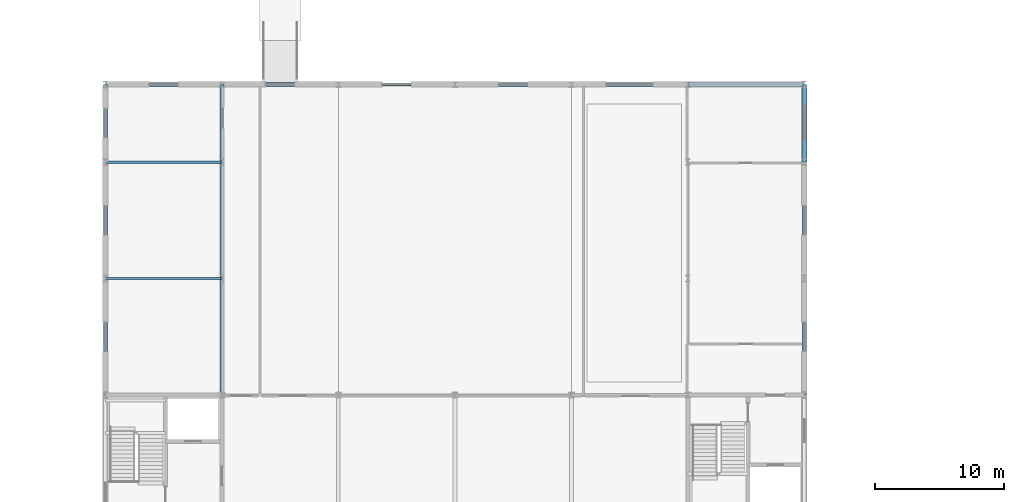
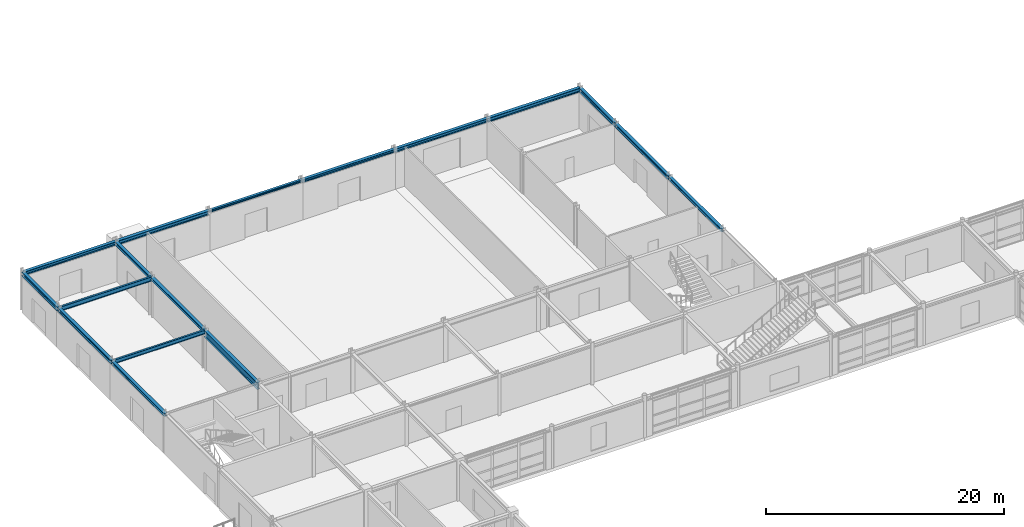
# One storey, part 32 of 72: 17 beams.
"""IFC4 building model written with IfcOpenShell, lengths in metres."""

from ifc_helpers import new_model, si_unit, direction, frame, origin, origin_2d, place, context, subcontext, project, spatial, i_section, extrude, material, material_profile, profile_set, type_object, element, save


model = new_model("IFC4")

# Units and contexts
model_context = context("Model", 3, precision=1e-05, world=origin(), true_north=direction((0.0, 1.0)))
body_context = subcontext(model_context, "Body", "Model", "MODEL_VIEW")
ifc_project = project(units=[si_unit("LENGTHUNIT", "METRE"), si_unit("AREAUNIT", "SQUARE_METRE"), si_unit("VOLUMEUNIT", "CUBIC_METRE"), si_unit("PLANEANGLEUNIT", "RADIAN"), si_unit("MASSUNIT", "GRAM", prefix="KILO")], contexts=[model_context])

# Site, building, storey
site_placement = place(None, origin())
site = spatial("IfcSite", under=ifc_project, at=site_placement, CompositionType="ELEMENT")
building_placement = place(site_placement, origin())
building = spatial("IfcBuilding", under=site, at=building_placement, Name="Palais des Congres Ocreval", CompositionType="ELEMENT")
storey_placement = place(building_placement, origin())
storey = spatial("IfcBuildingStorey", under=building, at=storey_placement, Name="L00", CompositionType="ELEMENT", Elevation=0.0)

# Beams
ifc_material = material(Name="Steel S355", Category="steel")
ifc_material_profile_1 = material_profile(ifc_material, i_section(OverallWidth=0.179931640625, OverallDepth=0.39990234375, WebThickness=0.008544921875, FlangeThickness=0.013427734375, at=origin_2d()), Name="IPE 400")
ifc_profile_set_1 = profile_set([ifc_material_profile_1], Name="Steel S355")
beam_type_1 = type_object("IfcBeamType", Name="Composite Beam IPE 400 Steel S355", PredefinedType="BEAM", material=ifc_profile_set_1)
beam_1_placement = place(storey_placement, frame((0.02001953125, 99.0, 3.85498046875), z_axis=(1.0, 0.0, 0.0), x_axis=(0.0, 1.0, 0.0)))
element("IfcBeam", 1, at=beam_1_placement, inside=storey, type_object=beam_type_1, Name="Beam B02 L00", PredefinedType="BEAM", context=body_context, shape_type="SweptSolid", body=[
    extrude(i_section(OverallWidth=0.179931640625, OverallDepth=0.39990234375, WebThickness=0.008544921875, FlangeThickness=0.013427734375, at=origin_2d()), origin(), (0.0, 0.0, 1.0), 8.9599609375),
])
ifc_material_profile_2 = material_profile(ifc_material, i_section(OverallWidth=0.18994140625, OverallDepth=0.449951171875, WebThickness=0.009521484375, FlangeThickness=0.0146484375, at=origin_2d()), Name="IPE 450")
ifc_profile_set_2 = profile_set([ifc_material_profile_2], Name="Steel S355")
beam_type_2 = type_object("IfcBeamType", Name="Composite Beam IPE 450 Steel S355", PredefinedType="BEAM", material=ifc_profile_set_2)
beam_2_placement = place(storey_placement, frame((0.02001953125, 108.0, 3.830078125), z_axis=(1.0, 0.0, 0.0), x_axis=(0.0, 1.0, 0.0)))
element("IfcBeam", 2, at=beam_2_placement, inside=storey, type_object=beam_type_2, Name="Beam B03 L00", PredefinedType="BEAM", context=body_context, shape_type="SweptSolid", body=[
    extrude(i_section(OverallWidth=0.18994140625, OverallDepth=0.449951171875, WebThickness=0.009521484375, FlangeThickness=0.0146484375, at=origin_2d()), origin(), (0.0, 0.0, 1.0), 8.9599609375),
])
ifc_material_profile_3 = material_profile(ifc_material, i_section(OverallWidth=0.239990234375, OverallDepth=0.22998046875, WebThickness=0.007568359375, FlangeThickness=0.011962890625, at=origin_2d()), Name="HEA 240")
ifc_profile_set_3 = profile_set([ifc_material_profile_3], Name="Steel S355")
beam_type_3 = type_object("IfcBeamType", Name="Perimeter Spandrel HEA 240 Steel S355", PredefinedType="SPANDREL", material=ifc_profile_set_3)
beam_3_placement = place(storey_placement, frame((18.02001953125, 114.0, 3.93994140625), z_axis=(1.0, 0.0, 0.0), x_axis=(0.0, 1.0, 0.0)))
element("IfcBeam", 3, at=beam_3_placement, inside=storey, type_object=beam_type_3, Name="Beam SP01 L00", PredefinedType="SPANDREL", context=body_context, shape_type="SweptSolid", body=[
    extrude(i_section(OverallWidth=0.239990234375, OverallDepth=0.22998046875, WebThickness=0.007568359375, FlangeThickness=0.011962890625, at=origin_2d()), origin(), (0.0, 0.0, 1.0), 8.9599609375),
])
ifc_material_profile_4 = material_profile(ifc_material, i_section(OverallWidth=0.300048828125, OverallDepth=0.300048828125, WebThickness=0.010986328125, FlangeThickness=0.01904296875, at=origin_2d()), Name="HEB 300")
ifc_profile_set_4 = profile_set([ifc_material_profile_4], Name="Steel S355")
beam_type_4 = type_object("IfcBeamType", Name="Perimeter Spandrel HEB 300 Steel S355", PredefinedType="SPANDREL", material=ifc_profile_set_4)
for number, where, z_axis, x_axis, name in (
    (4, (0.0, 90.02001953125, 3.905029296875), (0.0, 1.0, 0.0), (-1.0, 0.0, 0.0), "Girder SP02 L00"),
    (5, (27.02001953125, 114.0, 3.905029296875), (1.0, 0.0, 0.0), (0.0, 1.0, 0.0), "Beam SP02 L00"),
    (6, (54.0, 90.02001953125, 3.905029296875), (0.0, 1.0, 0.0), (-1.0, 0.0, 0.0), "Girder SP02 L00"),
):
    element("IfcBeam", number, at=place(storey_placement, frame(where, z_axis=z_axis, x_axis=x_axis)), inside=storey, type_object=beam_type_4, Name=name, PredefinedType="SPANDREL", context=body_context, shape_type="SweptSolid", body=[
        extrude(i_section(OverallWidth=0.300048828125, OverallDepth=0.300048828125, WebThickness=0.010986328125, FlangeThickness=0.01904296875, at=origin_2d()), origin(), (0.0, 0.0, 1.0), 8.9599609375),
    ])
ifc_material_profile_5 = material_profile(ifc_material, i_section(OverallWidth=0.300048828125, OverallDepth=0.360107421875, WebThickness=0.012451171875, FlangeThickness=0.0224609375, at=origin_2d()), Name="HEB 360")
ifc_profile_set_5 = profile_set([ifc_material_profile_5], Name="Steel S355")
beam_type_5 = type_object("IfcBeamType", Name="Perimeter Spandrel HEB 360 Steel S355", PredefinedType="SPANDREL", material=ifc_profile_set_5)
for number, where, z_axis, x_axis, name in (
    (7, (0.0, 99.02001953125, 3.875), (0.0, 1.0, 0.0), (-1.0, 0.0, 0.0), "Girder SP03 L00"),
    (8, (0.02001953125, 114.0, 3.875), (1.0, 0.0, 0.0), (0.0, 1.0, 0.0), "Beam SP03 L00"),
    (9, (36.02001953125, 114.0, 3.875), (1.0, 0.0, 0.0), (0.0, 1.0, 0.0), "Beam SP03 L00"),
    (10, (54.0, 99.02001953125, 3.875), (0.0, 1.0, 0.0), (-1.0, 0.0, 0.0), "Girder SP03 L00"),
):
    element("IfcBeam", number, at=place(storey_placement, frame(where, z_axis=z_axis, x_axis=x_axis)), inside=storey, type_object=beam_type_5, Name=name, PredefinedType="SPANDREL", context=body_context, shape_type="SweptSolid", body=[
        extrude(i_section(OverallWidth=0.300048828125, OverallDepth=0.360107421875, WebThickness=0.012451171875, FlangeThickness=0.0224609375, at=origin_2d()), origin(), (0.0, 0.0, 1.0), 8.9599609375),
    ])
ifc_material_profile_6 = material_profile(ifc_material, i_section(OverallWidth=0.300048828125, OverallDepth=0.39990234375, WebThickness=0.013427734375, FlangeThickness=0.02392578125, at=origin_2d()), Name="HEB 400")
ifc_profile_set_6 = profile_set([ifc_material_profile_6], Name="Steel S355")
beam_type_6 = type_object("IfcBeamType", Name="Perimeter Spandrel HEB 400 Steel S355", PredefinedType="SPANDREL", material=ifc_profile_set_6)
beam_4_placement = place(storey_placement, frame((0.0, 108.02001953125, 3.85498046875), z_axis=(0.0, 1.0, 0.0), x_axis=(-1.0, 0.0, 0.0)))
element("IfcBeam", 11, at=beam_4_placement, inside=storey, type_object=beam_type_6, Name="Girder SP04 L00", PredefinedType="SPANDREL", context=body_context, shape_type="SweptSolid", body=[
    extrude(i_section(OverallWidth=0.300048828125, OverallDepth=0.39990234375, WebThickness=0.013427734375, FlangeThickness=0.02392578125, at=origin_2d()), origin(), (0.0, 0.0, 1.0), 5.9599609375),
])
for number, where, z_axis, x_axis, name in (
    (12, (9.02001953125, 114.0, 3.85498046875), (1.0, 0.0, 0.0), (0.0, 1.0, 0.0), "Beam SP04 L00"),
    (13, (45.02001953125, 114.0, 3.85498046875), (1.0, 0.0, 0.0), (0.0, 1.0, 0.0), "Beam SP04 L00"),
):
    element("IfcBeam", number, at=place(storey_placement, frame(where, z_axis=z_axis, x_axis=x_axis)), inside=storey, type_object=beam_type_6, Name=name, PredefinedType="SPANDREL", context=body_context, shape_type="SweptSolid", body=[
        extrude(i_section(OverallWidth=0.300048828125, OverallDepth=0.39990234375, WebThickness=0.013427734375, FlangeThickness=0.02392578125, at=origin_2d()), origin(), (0.0, 0.0, 1.0), 8.9599609375),
    ])
beam_5_placement = place(storey_placement, frame((54.0, 108.02001953125, 3.85498046875), z_axis=(0.0, 1.0, 0.0), x_axis=(-1.0, 0.0, 0.0)))
element("IfcBeam", 14, at=beam_5_placement, inside=storey, type_object=beam_type_6, Name="Girder SP04 L00", PredefinedType="SPANDREL", context=body_context, shape_type="SweptSolid", body=[
    extrude(i_section(OverallWidth=0.300048828125, OverallDepth=0.39990234375, WebThickness=0.013427734375, FlangeThickness=0.02392578125, at=origin_2d()), origin(), (0.0, 0.0, 1.0), 5.9599609375),
])
ifc_material_profile_7 = material_profile(ifc_material, i_section(OverallWidth=0.300048828125, OverallDepth=0.2900390625, WebThickness=0.008544921875, FlangeThickness=0.013916015625, at=origin_2d()), Name="HEA 300")
ifc_profile_set_7 = profile_set([ifc_material_profile_7], Name="Steel S355")
beam_type_7 = type_object("IfcBeamType", Name="Primary Beam HEA 300 Steel S355", PredefinedType="BEAM", material=ifc_profile_set_7)
beam_6_placement = place(storey_placement, frame((9.0, 99.02001953125, 3.909912109375), z_axis=(0.0, 1.0, 0.0), x_axis=(-1.0, 0.0, 0.0)))
element("IfcBeam", 15, at=beam_6_placement, inside=storey, type_object=beam_type_7, Name="Girder B08 L00", PredefinedType="BEAM", context=body_context, shape_type="SweptSolid", body=[
    extrude(i_section(OverallWidth=0.300048828125, OverallDepth=0.2900390625, WebThickness=0.008544921875, FlangeThickness=0.013916015625, at=origin_2d()), origin(), (0.0, 0.0, 1.0), 8.9599609375),
])
ifc_material_profile_8 = material_profile(ifc_material, i_section(OverallWidth=0.300048828125, OverallDepth=0.330078125, WebThickness=0.009521484375, FlangeThickness=0.0166015625, at=origin_2d()), Name="HEA 340")
ifc_profile_set_8 = profile_set([ifc_material_profile_8], Name="Steel S355")
beam_type_8 = type_object("IfcBeamType", Name="Primary Beam HEA 340 Steel S355", PredefinedType="BEAM", material=ifc_profile_set_8)
beam_7_placement = place(storey_placement, frame((9.0, 108.02001953125, 3.889892578125), z_axis=(0.0, 1.0, 0.0), x_axis=(-1.0, 0.0, 0.0)))
element("IfcBeam", 16, at=beam_7_placement, inside=storey, type_object=beam_type_8, Name="Girder B09 L00", PredefinedType="BEAM", context=body_context, shape_type="SweptSolid", body=[
    extrude(i_section(OverallWidth=0.300048828125, OverallDepth=0.330078125, WebThickness=0.009521484375, FlangeThickness=0.0166015625, at=origin_2d()), origin(), (0.0, 0.0, 1.0), 5.9599609375),
])
ifc_material_profile_9 = material_profile(ifc_material, i_section(OverallWidth=0.300048828125, OverallDepth=0.68994140625, WebThickness=0.014404296875, FlangeThickness=0.027099609375, at=origin_2d()), Name="HEA 700")
ifc_profile_set_9 = profile_set([ifc_material_profile_9], Name="Steel S355")
beam_type_9 = type_object("IfcBeamType", Name="Primary Girder HEA 700 Steel S355", PredefinedType="BEAM", material=ifc_profile_set_9)
beam_8_placement = place(storey_placement, frame((9.0, 90.02001953125, 3.7099609375), z_axis=(0.0, 1.0, 0.0), x_axis=(-1.0, 0.0, 0.0)))
element("IfcBeam", 17, at=beam_8_placement, inside=storey, type_object=beam_type_9, Name="Girder B14 L00", PredefinedType="BEAM", context=body_context, shape_type="SweptSolid", body=[
    extrude(i_section(OverallWidth=0.300048828125, OverallDepth=0.68994140625, WebThickness=0.014404296875, FlangeThickness=0.027099609375, at=origin_2d()), origin(), (0.0, 0.0, 1.0), 8.9599609375),
])

save(model, "model.ifc")
